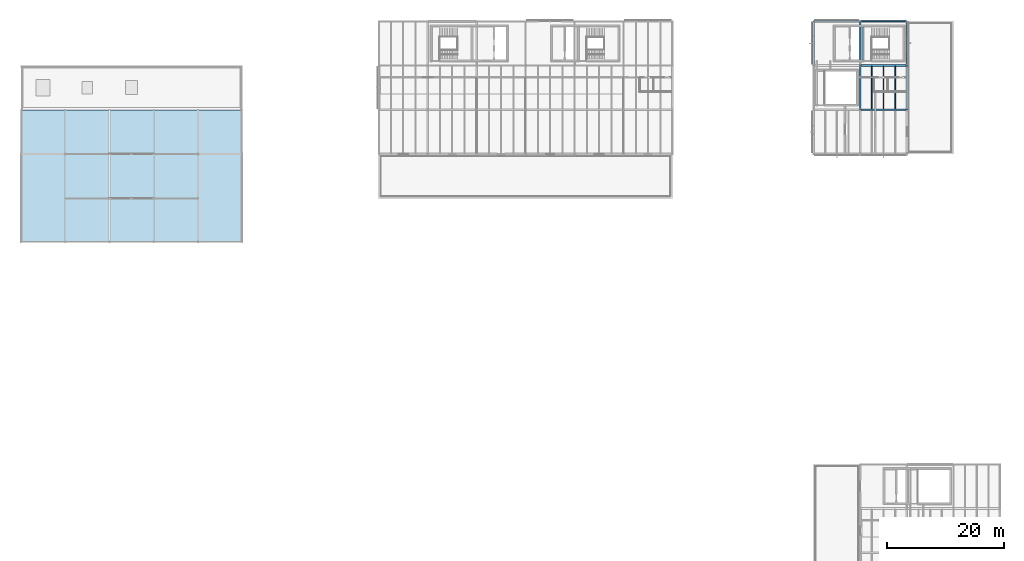
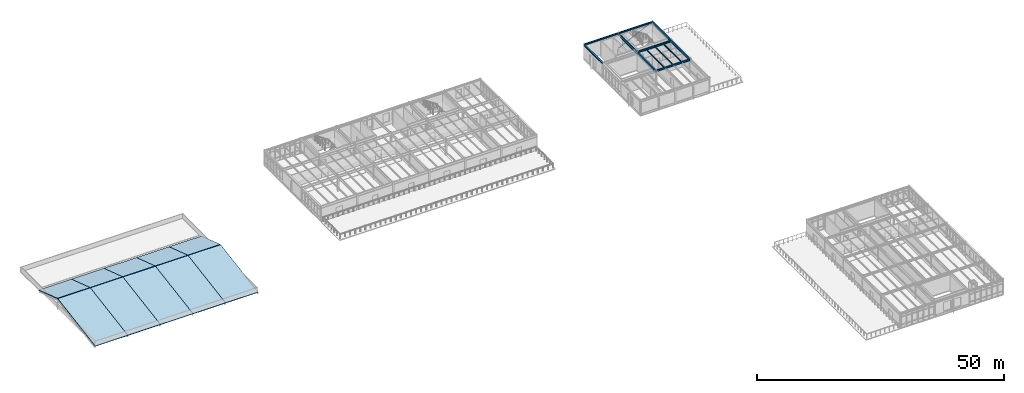
# One storey, part 40 of 65: 13 beams, 10 slabs, 1 member.
"""IFC4 building model written with IfcOpenShell, lengths in metres."""

from ifc_helpers import new_model, si_unit, direction, frame, origin, origin_2d, place, context, subcontext, project, spatial, polyline, rectangle, hollow_circle, i_section, outline, extrude, material, layer, layer_set, material_profile, profile_set, type_object, element, save


model = new_model("IFC4")

# Units and contexts
model_context = context("Model", 3, precision=1e-05, world=origin(), true_north=direction((0.0, 1.0)))
body_context = subcontext(model_context, "Body", "Model", "MODEL_VIEW")
ifc_project = project(units=[si_unit("LENGTHUNIT", "METRE"), si_unit("AREAUNIT", "SQUARE_METRE"), si_unit("VOLUMEUNIT", "CUBIC_METRE"), si_unit("PLANEANGLEUNIT", "RADIAN"), si_unit("MASSUNIT", "GRAM", prefix="KILO")], contexts=[model_context])

# Site, building, storey
site_placement = place(None, origin())
site = spatial("IfcSite", under=ifc_project, at=site_placement, CompositionType="ELEMENT")
building_placement = place(site_placement, origin())
building = spatial("IfcBuilding", under=site, at=building_placement, Name="Montecoro Central Library", CompositionType="ELEMENT")
storey_placement = place(building_placement, frame((0.0, 0.0, 17.340087890625)))
storey = spatial("IfcBuildingStorey", under=building, at=storey_placement, Name="L04", CompositionType="ELEMENT", Elevation=17.340087890625)

# Beams
ifc_material_1 = material(Name="Steel S355J2", Category="steel")
ifc_material_profile_1 = material_profile(ifc_material_1, i_section(OverallWidth=0.300048828125, OverallDepth=0.43994140625, WebThickness=0.011474609375, FlangeThickness=0.02099609375, at=origin_2d()), Name="HEA 450")
ifc_profile_set_1 = profile_set([ifc_material_profile_1], Name="Steel S355J2")
beam_type_1 = type_object("IfcBeamType", Name="BM-G-HEA450", PredefinedType="USERDEFINED", material=ifc_profile_set_1)
for number, where, z_axis, x_axis, name in (
    (1, (149.0048828125, 103.800048828125, 3.60498046875), (1.0, 0.0, 0.0), (0.0, 1.0, 0.0), "V5-L04-BX-1920-P"),
    (2, (149.0048828125, 111.39990234375, 3.60498046875), (1.0, 0.0, 0.0), (0.0, 1.0, 0.0), "V5-L04-BX-1920-Q"),
):
    element("IfcBeam", number, at=place(storey_placement, frame(where, z_axis=z_axis, x_axis=x_axis)), inside=storey, type_object=beam_type_1, Name=name, ObjectType="GIRDER", PredefinedType="USERDEFINED", context=body_context, shape_type="SweptSolid", body=[
        extrude(i_section(OverallWidth=0.300048828125, OverallDepth=0.43994140625, WebThickness=0.011474609375, FlangeThickness=0.02099609375, at=origin_2d()), origin(), (0.0, 0.0, 1.0), 7.990234375),
    ])
ifc_material_profile_2 = material_profile(ifc_material_1, i_section(OverallWidth=0.219970703125, OverallDepth=0.60009765625, WebThickness=0.011962890625, FlangeThickness=0.01904296875, at=origin_2d()), Name="IPE 600")
ifc_profile_set_2 = profile_set([ifc_material_profile_2], Name="Steel S355J2")
beam_type_2 = type_object("IfcBeamType", Name="BM-G-IPE600", PredefinedType="USERDEFINED", material=ifc_profile_set_2)
for number, where, z_axis, x_axis, name in (
    (3, (149.0, 103.804931640625, 3.52490234375), (0.0, 1.0, 0.0), (-1.0, 0.0, 0.0), "V5-L04-BY-19-PQ"),
    (4, (149.0, 111.405029296875, 3.52490234375), (0.0, 1.0, 0.0), (-1.0, 0.0, 0.0), "V5-L04-BY-19-QR"),
    (5, (157.0, 103.804931640625, 3.52490234375), (0.0, 1.0, 0.0), (-1.0, 0.0, 0.0), "V5-L04-BY-20-PQ"),
    (6, (157.0, 111.405029296875, 3.52490234375), (0.0, 1.0, 0.0), (-1.0, 0.0, 0.0), "V5-L04-BY-20-QR"),
):
    element("IfcBeam", number, at=place(storey_placement, frame(where, z_axis=z_axis, x_axis=x_axis)), inside=storey, type_object=beam_type_2, Name=name, ObjectType="GIRDER", PredefinedType="USERDEFINED", context=body_context, shape_type="SweptSolid", body=[
        extrude(i_section(OverallWidth=0.219970703125, OverallDepth=0.60009765625, WebThickness=0.011962890625, FlangeThickness=0.01904296875, at=origin_2d()), origin(), (0.0, 0.0, 1.0), 7.590087890625),
    ])
ifc_material_2 = material(Name="Steel S355", Category="steel")
ifc_material_profile_3 = material_profile(ifc_material_2, i_section(OverallWidth=0.14990234375, OverallDepth=0.300048828125, WebThickness=0.007080078125, FlangeThickness=0.0107421875, at=origin_2d()), Name="IPE 300")
ifc_profile_set_3 = profile_set([ifc_material_profile_3], Name="Steel S355")
beam_type_3 = type_object("IfcBeamType", Name="BM-J-IPE300", PredefinedType="JOIST", material=ifc_profile_set_3)
for number, where, z_axis, x_axis, name in (
    (7, (151.0, 103.947021484375, 3.6748046875), (0.0, 1.0, 0.0), (-1.0, 0.0, 0.0), "V5-L04-JS-1920-PQ-1"),
    (8, (153.0, 103.947021484375, 3.6748046875), (0.0, 1.0, 0.0), (-1.0, 0.0, 0.0), "V5-L04-JS-1920-PQ-2"),
    (9, (155.0, 103.947021484375, 3.6748046875), (0.0, 1.0, 0.0), (-1.0, 0.0, 0.0), "V5-L04-JS-1920-PQ-3"),
):
    element("IfcBeam", number, at=place(storey_placement, frame(where, z_axis=z_axis, x_axis=x_axis)), inside=storey, type_object=beam_type_3, Name=name, PredefinedType="JOIST", context=body_context, shape_type="SweptSolid", body=[
        extrude(i_section(OverallWidth=0.14990234375, OverallDepth=0.300048828125, WebThickness=0.007080078125, FlangeThickness=0.0107421875, at=origin_2d()), origin(), (0.0, 0.0, 1.0), 7.305908203125),
    ])
ifc_material_3 = material(Name="Concrete C35/45", Category="concrete")
ifc_material_profile_4 = material_profile(ifc_material_3, rectangle(XDim=0.35009765625, YDim=0.60009765625, at=origin_2d()), Name="RC LNT 600x350")
ifc_profile_set_4 = profile_set([ifc_material_profile_4], Name="Concrete C35/45")
beam_type_4 = type_object("IfcBeamType", Name="BM-LN-RC01", PredefinedType="LINTEL", material=ifc_profile_set_4)
beam_1_placement = place(storey_placement, frame((149.5, 112.35009765625, 2.75), z_axis=(0.0, 1.0, 0.0), x_axis=(-1.0, 0.0, 0.0)))
element("IfcBeam", 10, at=beam_1_placement, inside=storey, type_object=beam_type_4, Name="C6-L04-LNT", PredefinedType="LINTEL", context=body_context, shape_type="SweptSolid", body=[
    extrude(rectangle(XDim=0.35009765625, YDim=0.60009765625, at=origin_2d()), origin(), (0.0, 0.0, 1.0), 5.699951171875),
])
ifc_material_profile_5 = material_profile(ifc_material_2, i_section(OverallWidth=0.300048828125, OverallDepth=0.330078125, WebThickness=0.009521484375, FlangeThickness=0.0166015625, at=origin_2d()), Name="HEA 340")
ifc_profile_set_5 = profile_set([ifc_material_profile_5], Name="Steel S355")
beam_type_5 = type_object("IfcBeamType", Name="BM-SP-HEA340", PredefinedType="SPANDREL", material=ifc_profile_set_5)
for number, where, z_axis, x_axis, name in (
    (11, (141.0048828125, 119.0, 3.659912109375), (1.0, 0.0, 0.0), (0.0, 1.0, 0.0), "V5-L04-BX-1819-R"),
    (12, (149.0048828125, 119.0, 3.659912109375), (1.0, 0.0, 0.0), (0.0, 1.0, 0.0), "V5-L04-BX-1920-R"),
):
    element("IfcBeam", number, at=place(storey_placement, frame(where, z_axis=z_axis, x_axis=x_axis)), inside=storey, type_object=beam_type_5, Name=name, PredefinedType="SPANDREL", context=body_context, shape_type="SweptSolid", body=[
        extrude(i_section(OverallWidth=0.300048828125, OverallDepth=0.330078125, WebThickness=0.009521484375, FlangeThickness=0.0166015625, at=origin_2d()), origin(), (0.0, 0.0, 1.0), 7.990234375),
    ])
beam_2_placement = place(storey_placement, frame((141.0, 111.405029296875, 3.659912109375), z_axis=(0.0, 1.0, 0.0), x_axis=(-1.0, 0.0, 0.0)))
element("IfcBeam", 13, at=beam_2_placement, inside=storey, type_object=beam_type_5, Name="V5-L04-BY-18-QR", PredefinedType="SPANDREL", context=body_context, shape_type="SweptSolid", body=[
    extrude(i_section(OverallWidth=0.300048828125, OverallDepth=0.330078125, WebThickness=0.009521484375, FlangeThickness=0.0166015625, at=origin_2d()), origin(), (0.0, 0.0, 1.0), 7.590087890625),
])

# Member
ifc_material_profile_6 = material_profile(ifc_material_2, hollow_circle(Radius=0.06982421875, WallThickness=0.00634765625, at=origin_2d()), Name="CHS 139.7x6.3")
ifc_profile_set_6 = profile_set([ifc_material_profile_6], Name="Steel S355")
member_type = type_object("IfcMemberType", Name="MB-BR-CHS140", PredefinedType="BRACE", material=ifc_profile_set_6)
member_placement = place(storey_placement, frame((149.0, 119.0, 0.010009765625), z_axis=(0.903499651379, 0.0, 0.428588823884), x_axis=(0.0, 1.0, 0.0)))
element("IfcMember", 14, at=member_placement, inside=storey, type_object=member_type, Name="V5-L04-BRN1", PredefinedType="BRACE", context=body_context, shape_type="SweptSolid", body=[
    extrude(hollow_circle(Radius=0.06982421875, WallThickness=0.00634765625, at=origin_2d()), origin(), (0.0, 0.0, 1.0), 8.8544921875),
])

# Slabs
ifc_material_4 = material(Name="Concrete C32/40", Category="concrete")
ifc_layer = layer(ifc_material_4, 0.172119140625)
ifc_layer_set = layer_set([ifc_layer], Name="Concrete C32/40")
slab_type = type_object("IfcSlabType", Name="SL-ROOF-172", PredefinedType="ROOF", material=ifc_layer_set)
slab_1_placement = place(storey_placement, frame((5.0, 81.0, 0.0), z_axis=(0.0, -0.162920444116, 0.986639209078), x_axis=(1.0, 0.0, 0.0)))
element("IfcSlab", 15, at=slab_1_placement, inside=storey, type_object=slab_type, Name="Auditorium Pitched Acoustic Roof South", PredefinedType="ROOF", context=body_context, shape_type="SweptSolid", body=[
    extrude(outline(polyline([(0.0, 0.0), (7.60009765625, 0.0), (7.60009765625, 15.344912749089337), (0.0, 15.344912749089337), (0.0, 0.0)])), origin(), (0.0, 0.0, -1.0), 0.172119140625),
])
slab_2_placement = place(storey_placement, frame((12.60009765625, 103.800048828125, 0.0), z_axis=(0.0, 0.314715255868, 0.949186129125), x_axis=(-1.0, 0.0, 0.0)))
element("IfcSlab", 16, at=slab_2_placement, inside=storey, type_object=slab_type, Name="Auditorium Pitched Acoustic Roof North", PredefinedType="ROOF", context=body_context, shape_type="SweptSolid", body=[
    extrude(outline(polyline([(0.0, 0.0), (7.60009765625, 0.0), (7.60009765625, 7.943688630858203), (0.0, 7.943688630858203), (0.0, 0.0)])), origin(), (0.0, 0.0, -1.0), 0.172119140625),
])
slab_3_placement = place(storey_placement, frame((12.60009765625, 81.0, 0.0), z_axis=(0.0, -0.162920444116, 0.986639209078), x_axis=(1.0, 0.0, 0.0)))
element("IfcSlab", 17, at=slab_3_placement, inside=storey, type_object=slab_type, Name="Auditorium Pitched Acoustic Roof South", PredefinedType="ROOF", context=body_context, shape_type="SweptSolid", body=[
    extrude(outline(polyline([(0.0, 0.0), (7.599853515625, 0.0), (7.599853515625, 15.344912749089337), (0.0, 15.344912749089337), (0.0, 0.0)])), origin(), (0.0, 0.0, -1.0), 0.172119140625),
])
slab_4_placement = place(storey_placement, frame((20.199951171875, 103.800048828125, 0.0), z_axis=(0.0, 0.314715255868, 0.949186129125), x_axis=(-1.0, 0.0, 0.0)))
element("IfcSlab", 18, at=slab_4_placement, inside=storey, type_object=slab_type, Name="Auditorium Pitched Acoustic Roof North", PredefinedType="ROOF", context=body_context, shape_type="SweptSolid", body=[
    extrude(outline(polyline([(0.0, 0.0), (7.599853515625, 0.0), (7.599853515625, 7.943688630858203), (0.0, 7.943688630858203), (0.0, 0.0)])), origin(), (0.0, 0.0, -1.0), 0.172119140625),
])
slab_5_placement = place(storey_placement, frame((20.199951171875, 81.0, 0.0), z_axis=(0.0, -0.162920444116, 0.986639209078), x_axis=(1.0, 0.0, 0.0)))
element("IfcSlab", 19, at=slab_5_placement, inside=storey, type_object=slab_type, Name="Auditorium Pitched Acoustic Roof South", PredefinedType="ROOF", context=body_context, shape_type="SweptSolid", body=[
    extrude(outline(polyline([(0.0, 0.0), (7.60009765625, 0.0), (7.60009765625, 15.344912749089337), (0.0, 15.344912749089337), (0.0, 0.0)])), origin(), (0.0, 0.0, -1.0), 0.172119140625),
])
slab_6_placement = place(storey_placement, frame((27.800048828125, 103.800048828125, 0.0), z_axis=(0.0, 0.314715255868, 0.949186129125), x_axis=(-1.0, 0.0, 0.0)))
element("IfcSlab", 20, at=slab_6_placement, inside=storey, type_object=slab_type, Name="Auditorium Pitched Acoustic Roof North", PredefinedType="ROOF", context=body_context, shape_type="SweptSolid", body=[
    extrude(outline(polyline([(0.0, 0.0), (7.60009765625, 0.0), (7.60009765625, 7.943688630858203), (0.0, 7.943688630858203), (0.0, 0.0)])), origin(), (0.0, 0.0, -1.0), 0.172119140625),
])
slab_7_placement = place(storey_placement, frame((27.800048828125, 81.0, 0.0), z_axis=(0.0, -0.162920444116, 0.986639209078), x_axis=(1.0, 0.0, 0.0)))
element("IfcSlab", 21, at=slab_7_placement, inside=storey, type_object=slab_type, Name="Auditorium Pitched Acoustic Roof South", PredefinedType="ROOF", context=body_context, shape_type="SweptSolid", body=[
    extrude(outline(polyline([(0.0, 0.0), (7.599853515625, 0.0), (7.599853515625, 15.344912749089337), (0.0, 15.344912749089337), (0.0, 0.0)])), origin(), (0.0, 0.0, -1.0), 0.172119140625),
])
slab_8_placement = place(storey_placement, frame((35.39990234375, 103.800048828125, 0.0), z_axis=(0.0, 0.314715255868, 0.949186129125), x_axis=(-1.0, 0.0, 0.0)))
element("IfcSlab", 22, at=slab_8_placement, inside=storey, type_object=slab_type, Name="Auditorium Pitched Acoustic Roof North", PredefinedType="ROOF", context=body_context, shape_type="SweptSolid", body=[
    extrude(outline(polyline([(0.0, 0.0), (7.599853515625, 0.0), (7.599853515625, 7.943688630858203), (0.0, 7.943688630858203), (0.0, 0.0)])), origin(), (0.0, 0.0, -1.0), 0.172119140625),
])
slab_9_placement = place(storey_placement, frame((35.39990234375, 81.0, 0.0), z_axis=(0.0, -0.162920444116, 0.986639209078), x_axis=(1.0, 0.0, 0.0)))
element("IfcSlab", 23, at=slab_9_placement, inside=storey, type_object=slab_type, Name="Auditorium Pitched Acoustic Roof South", PredefinedType="ROOF", context=body_context, shape_type="SweptSolid", body=[
    extrude(outline(polyline([(0.0, 0.0), (7.60009765625, 0.0), (7.60009765625, 15.344912749089337), (0.0, 15.344912749089337), (0.0, 0.0)])), origin(), (0.0, 0.0, -1.0), 0.172119140625),
])
slab_10_placement = place(storey_placement, frame((43.0, 103.800048828125, 0.0), z_axis=(0.0, 0.314715255868, 0.949186129125), x_axis=(-1.0, 0.0, 0.0)))
element("IfcSlab", 24, at=slab_10_placement, inside=storey, type_object=slab_type, Name="Auditorium Pitched Acoustic Roof North", PredefinedType="ROOF", context=body_context, shape_type="SweptSolid", body=[
    extrude(outline(polyline([(0.0, 0.0), (7.60009765625, 0.0), (7.60009765625, 7.943688630858203), (0.0, 7.943688630858203), (0.0, 0.0)])), origin(), (0.0, 0.0, -1.0), 0.172119140625),
])

save(model, "model.ifc")
